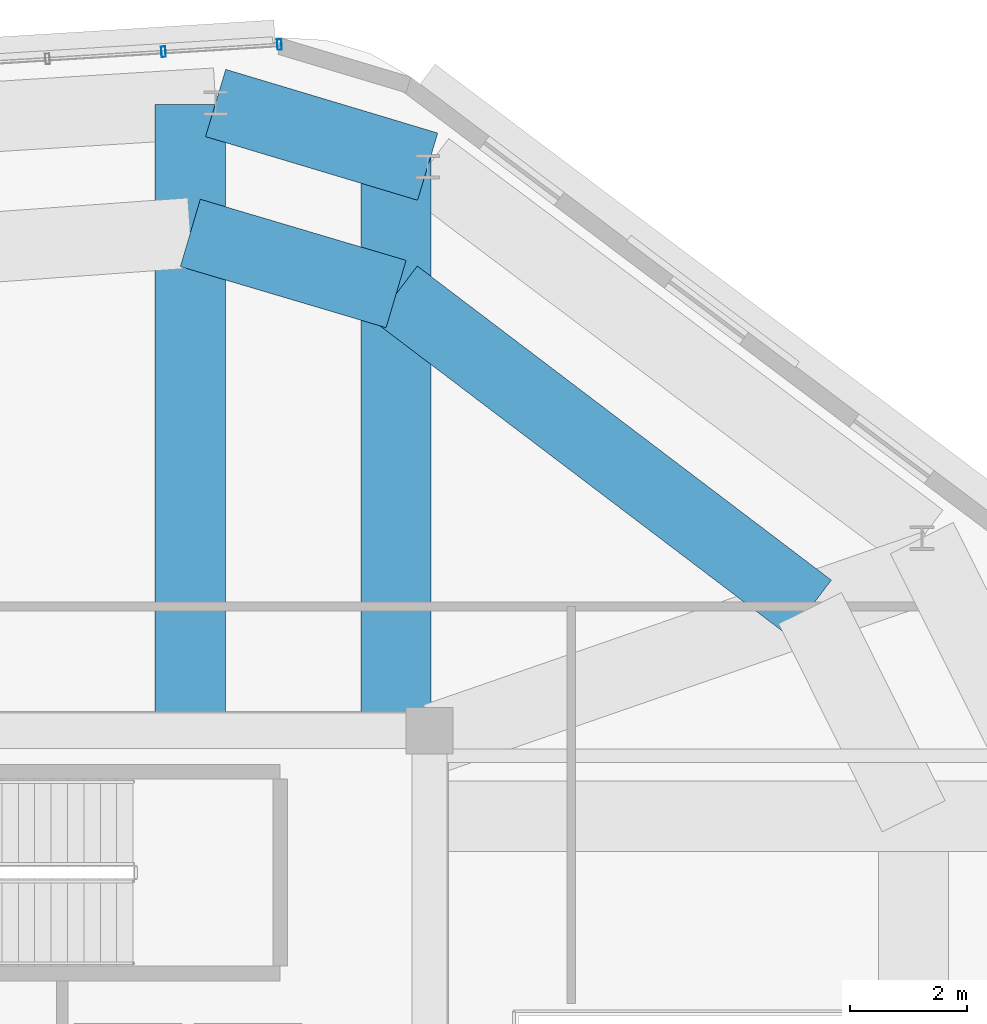
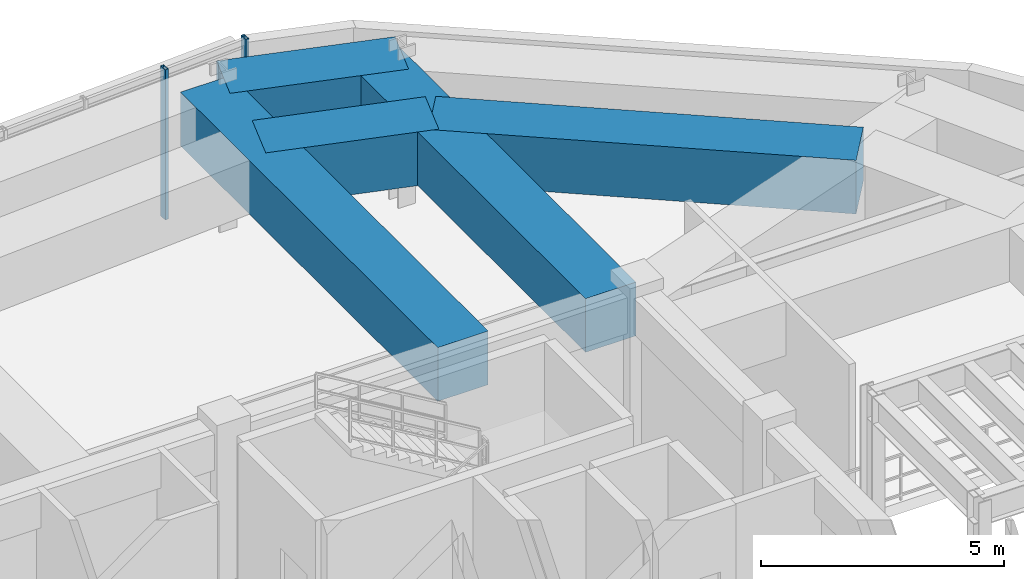
# One storey, part 12 of 17: 5 beams, 2 members, 1 element without a shape of its own.
"""IFC4 building model written with IfcOpenShell, lengths in metres."""

from ifc_helpers import new_model, si_unit, direction, frame, origin, origin_2d, place, context, subcontext, project, spatial, rectangle, hollow_rectangle, extrude, material, material_profile, profile_set, type_object, element, aggregate, save


model = new_model("IFC4")

# Units and contexts
model_context = context("Model", 3, precision=1e-05, world=origin(), true_north=direction((0.0, 1.0)))
body_context = subcontext(model_context, "Body", "Model", "MODEL_VIEW")
ifc_project = project(units=[si_unit("LENGTHUNIT", "METRE"), si_unit("AREAUNIT", "SQUARE_METRE"), si_unit("VOLUMEUNIT", "CUBIC_METRE"), si_unit("PLANEANGLEUNIT", "RADIAN"), si_unit("MASSUNIT", "GRAM", prefix="KILO")], contexts=[model_context])

# Site, building, storey
site_placement = place(None, origin())
site = spatial("IfcSite", under=ifc_project, at=site_placement, CompositionType="ELEMENT")
building_placement = place(site_placement, origin())
building = spatial("IfcBuilding", under=site, at=building_placement, Name="Zulverin Broadcast Headquarters", CompositionType="ELEMENT")
storey_placement = place(building_placement, frame((0.0, 0.0, 317.39990234375)))
storey = spatial("IfcBuildingStorey", under=building, at=storey_placement, Name="C2", CompositionType="ELEMENT", Elevation=317.39990234375)

# Beams
ifc_material_1 = material(Name="Concrete C50/60", Category="concrete")
ifc_material_profile_1 = material_profile(ifc_material_1, rectangle(XDim=1.199951171875, YDim=1.35009765625, at=origin_2d()), Name="Concrete C50/60", Category="concrete")
ifc_profile_set_1 = profile_set([ifc_material_profile_1], Name="Concrete C50/60")
beam_type = type_object("IfcBeamType", Name="BM-TG-CRN-1350", PredefinedType="USERDEFINED", material=ifc_profile_set_1)
beam_1_placement = place(storey_placement, frame((48.24609375, 42.716796875, 3.045166015625), z_axis=(-0.957806746648, 0.287413006102, 0.0), x_axis=(-0.287413006102, -0.957806746648, 0.0)))
element("IfcBeam", 1, at=beam_1_placement, inside=storey, type_object=beam_type, Name="C2 Perimeter Transfer Ring Girder SP-08", ObjectType="TRANSFER GIRDER", PredefinedType="USERDEFINED", context=body_context, shape_type="SweptSolid", body=[
    extrude(rectangle(XDim=1.199951171875, YDim=1.35009765625, at=origin_2d()), origin(), (0.0, 0.0, 1.0), 3.783447265625),
])
beam_2_placement = place(storey_placement, frame((54.783203125, 35.1708984375, 3.045166015625), z_axis=(-0.796693096284, 0.604384075182, 0.0), x_axis=(-0.604384075182, -0.796693096284, 0.0)))
element("IfcBeam", 2, at=beam_2_placement, inside=storey, type_object=beam_type, Name="C3 Step Transfer Ring Girder TGR-07", ObjectType="TRANSFER GIRDER", PredefinedType="USERDEFINED", context=body_context, shape_type="SweptSolid", body=[
    extrude(rectangle(XDim=1.199951171875, YDim=1.35009765625, at=origin_2d()), origin(), (0.0, 0.0, 1.0), 8.8828125),
])
beam_3_placement = place(storey_placement, frame((47.706298828125, 33.175048828125, 3.045166015625), z_axis=(0.0, 1.0, 0.0), x_axis=(-1.0, 0.0, 0.0)))
element("IfcBeam", 3, at=beam_3_placement, inside=storey, type_object=beam_type, Name="C3 Step Transfer Girder TG-08", ObjectType="TRANSFER GIRDER", PredefinedType="USERDEFINED", context=body_context, shape_type="SweptSolid", body=[
    extrude(rectangle(XDim=1.199951171875, YDim=1.35009765625, at=origin_2d()), origin(), (0.0, 0.0, 1.0), 9.70361328125),
])
beam_4_placement = place(storey_placement, frame((47.706298828125, 40.53955078125, 3.045166015625), z_axis=(-0.958655660541, 0.284568663969, 0.0), x_axis=(-0.284568663969, -0.958655660541, 0.0)))
element("IfcBeam", 4, at=beam_4_placement, inside=storey, type_object=beam_type, Name="C3 Step Transfer Ring Girder TGR-08", ObjectType="TRANSFER GIRDER", PredefinedType="USERDEFINED", context=body_context, shape_type="SweptSolid", body=[
    extrude(rectangle(XDim=1.199951171875, YDim=1.35009765625, at=origin_2d()), origin(), (0.0, 0.0, 1.0), 3.66845703125),
])
beam_5_placement = place(storey_placement, frame((44.189453125, 33.175048828125, 3.045166015625), z_axis=(0.0, 1.0, 0.0), x_axis=(-1.0, 0.0, 0.0)))
element("IfcBeam", 5, at=beam_5_placement, inside=storey, type_object=beam_type, Name="C3 Step Transfer Girder TG-09", ObjectType="TRANSFER GIRDER", PredefinedType="USERDEFINED", context=body_context, shape_type="SweptSolid", body=[
    extrude(rectangle(XDim=1.199951171875, YDim=1.35009765625, at=origin_2d()), origin(), (0.0, 0.0, 1.0), 10.602294921875),
])

# Curtain wall, members
ifc_material_2 = material(Name="Crown damper-hall structural glass curtain wall", Category="glass")
curtain_wall_type = type_object("IfcCurtainWallType", Name="CW-CRN", PredefinedType="USERDEFINED", material=ifc_material_2)
curtain_wall_placement = place(storey_placement, origin())
curtain_wall = element("IfcCurtainWall", 6, at=curtain_wall_placement, inside=storey, type_object=curtain_wall_type, Name="C2 Unitised Curtain Wall CW-C2-E5", ObjectType="UNITISED CURTAIN WALL", PredefinedType="USERDEFINED")
ifc_material_3 = material(Name="Anodized pale-metal aluminium alloy 6063-T6", Category="aluminium")
ifc_material_profile_2 = material_profile(ifc_material_3, hollow_rectangle(XDim=0.074951171875, YDim=0.179931640625, WallThickness=0.0048828125, at=origin_2d()), Name="Anodized pale-metal aluminium alloy 6063-T6", Category="aluminium")
ifc_profile_set_2 = profile_set([ifc_material_profile_2], Name="Anodized pale-metal aluminium alloy 6063-T6")
member_type = type_object("IfcMemberType", Name="CW-MUL-180", PredefinedType="MULLION", material=ifc_profile_set_2)
member_1_placement = place(storey_placement, frame((45.712890625, 44.802978515625, -0.02978515625), z_axis=(0.0, 0.0, 1.0), x_axis=(-0.998102804121, -0.061569411283, 0.0)))
member_1 = element("IfcMember", 7, at=member_1_placement, type_object=member_type, Name="CW-C2-E5 Mullion 00", PredefinedType="MULLION", context=body_context, shape_type="SweptSolid", body=[
    extrude(hollow_rectangle(XDim=0.074951171875, YDim=0.179931640625, WallThickness=0.0048828125, at=origin_2d()), origin(), (0.0, 0.0, 1.0), 3.77978515625),
])
member_2_placement = place(storey_placement, frame((43.73046875, 44.680908203125, -0.02978515625), z_axis=(0.0, 0.0, 1.0), x_axis=(-0.998102804121, -0.061569411283, 0.0)))
member_2 = element("IfcMember", 8, at=member_2_placement, type_object=member_type, Name="CW-C2-E5 Mullion 01", PredefinedType="MULLION", context=body_context, shape_type="SweptSolid", body=[
    extrude(hollow_rectangle(XDim=0.074951171875, YDim=0.179931640625, WallThickness=0.0048828125, at=origin_2d()), origin(), (0.0, 0.0, 1.0), 3.77978515625),
])
aggregate(curtain_wall, [member_1, member_2])

save(model, "model.ifc")
